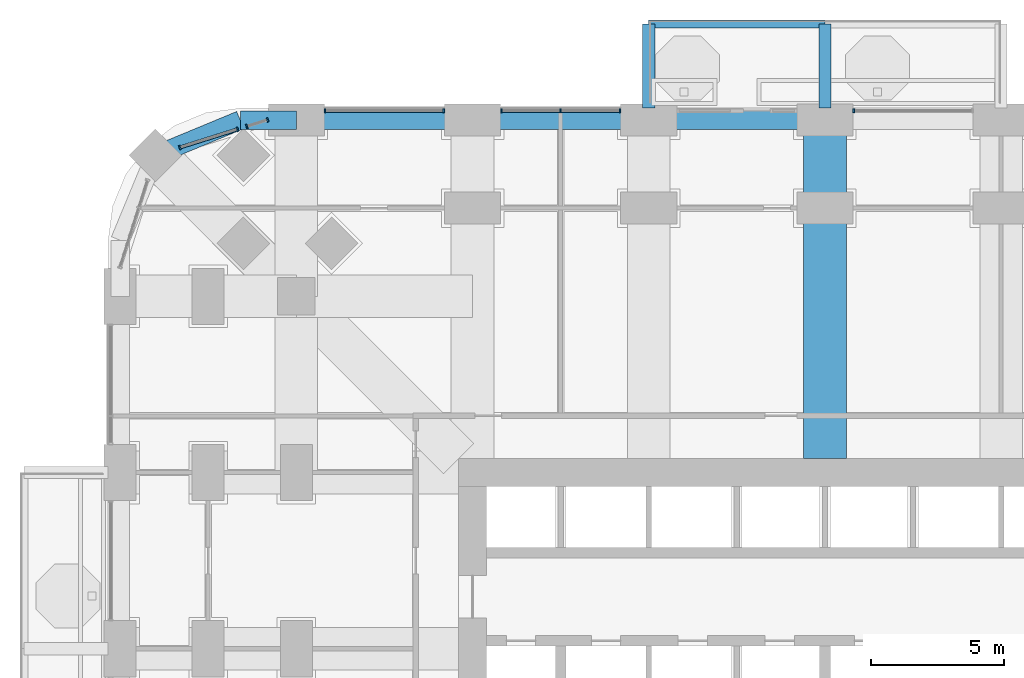
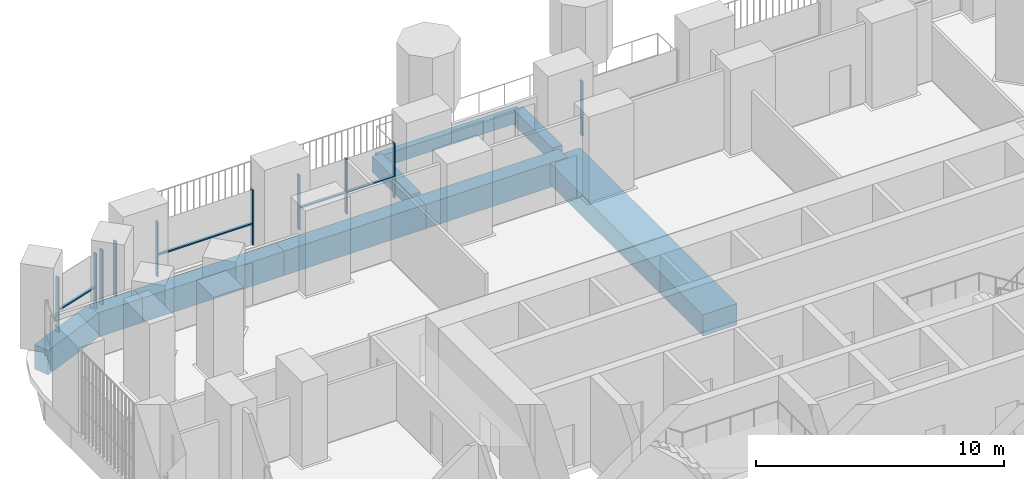
# One storey, part 7 of 26: 14 members, 9 beams, 5 elements without a shape of their own.
"""IFC4 building model written with IfcOpenShell, lengths in metres."""

from ifc_helpers import new_model, si_unit, direction, frame, origin, origin_2d, place, context, subcontext, project, spatial, rectangle, extrude, material, material_profile, profile_set, type_object, element, aggregate, save


model = new_model("IFC4")

# Units and contexts
model_context = context("Model", 3, precision=1e-05, world=origin(), true_north=direction((0.0, 1.0)))
body_context = subcontext(model_context, "Body", "Model", "MODEL_VIEW")
ifc_project = project(units=[si_unit("LENGTHUNIT", "METRE"), si_unit("AREAUNIT", "SQUARE_METRE"), si_unit("VOLUMEUNIT", "CUBIC_METRE"), si_unit("PLANEANGLEUNIT", "RADIAN"), si_unit("MASSUNIT", "GRAM", prefix="KILO")], contexts=[model_context])

# Site, building, storey
site_placement = place(None, origin())
site = spatial("IfcSite", under=ifc_project, at=site_placement, CompositionType="ELEMENT")
building_placement = place(site_placement, origin())
building = spatial("IfcBuilding", under=site, at=building_placement, Name="Cobogo Forest Laboratory Tower", CompositionType="ELEMENT")
storey_placement = place(building_placement, frame((0.0, 0.0, 59.10009765625)))
storey = spatial("IfcBuildingStorey", under=building, at=storey_placement, Name="L13", CompositionType="ELEMENT", Elevation=59.10009765625)

# Beams
ifc_material_1 = material(Name="Concrete HA-40 (C40/50)", Category="concrete")
ifc_material_profile_1 = material_profile(ifc_material_1, rectangle(XDim=0.449951171875, YDim=0.75, at=origin_2d()), Name="RC 450x750")
ifc_profile_set_1 = profile_set([ifc_material_profile_1], Name="Concrete HA-40 (C40/50)")
beam_type_1 = type_object("IfcBeamType", Name="Balcony cantilever beam 450x750", PredefinedType="BEAM", material=ifc_profile_set_1)
for number, where, z_axis, x_axis, name in (
    (1, (19.800048828125, 46.64990234375, -0.625), (0.0, 1.0, 0.0), (-1.0, 0.0, 0.0), "CB1 BAL-N1-C1 L13"),
    (2, (26.39990234375, 46.64990234375, -0.625), (0.0, 1.0, 0.0), (-1.0, 0.0, 0.0), "CB1 BAL-N1-C2 L13"),
):
    element("IfcBeam", number, at=place(storey_placement, frame(where, z_axis=z_axis, x_axis=x_axis)), inside=storey, type_object=beam_type_1, Name=name, PredefinedType="BEAM", context=body_context, shape_type="SweptSolid", body=[
        extrude(rectangle(XDim=0.449951171875, YDim=0.75, at=origin_2d()), origin(), (0.0, 0.0, 1.0), 3.150146484375),
    ])
ifc_material_profile_2 = material_profile(ifc_material_1, rectangle(XDim=0.300048828125, YDim=0.60009765625, at=origin_2d()), Name="RC 300x600")
ifc_profile_set_2 = profile_set([ifc_material_profile_2], Name="Concrete HA-40 (C40/50)")
beam_type_2 = type_object("IfcBeamType", Name="Balcony edge beam 300x600", PredefinedType="BEAM", material=ifc_profile_set_2)
beam_1_placement = place(storey_placement, frame((19.800048828125, 49.800048828125, -0.550048828125), z_axis=(1.0, 0.0, 0.0), x_axis=(0.0, 1.0, 0.0)))
element("IfcBeam", 3, at=beam_1_placement, inside=storey, type_object=beam_type_2, Name="BB1 BAL-N1-T1 L13", PredefinedType="BEAM", context=body_context, shape_type="SweptSolid", body=[
    extrude(rectangle(XDim=0.300048828125, YDim=0.60009765625, at=origin_2d()), origin(), (0.0, 0.0, 1.0), 6.599853515625),
])
ifc_material_2 = material(Name="Concrete HA-50 (C50/60)", Category="concrete")
ifc_material_profile_3 = material_profile(ifc_material_2, rectangle(XDim=1.60009765625, YDim=1.050048828125, at=origin_2d()), Name="RC 1600x1050")
ifc_profile_set_3 = profile_set([ifc_material_profile_3], Name="Concrete HA-50 (C50/60)")
beam_type_3 = type_object("IfcBeamType", Name="Laboratory floor wide beam 1600x1050", PredefinedType="BEAM", material=ifc_profile_set_3)
beam_2_placement = place(storey_placement, frame((26.39990234375, 33.52490234375, -0.8251953125), z_axis=(0.0, 1.0, 0.0), x_axis=(-1.0, 0.0, 0.0)))
element("IfcBeam", 4, at=beam_2_placement, inside=storey, type_object=beam_type_3, Name="RB8 R-5-N L13", PredefinedType="BEAM", context=body_context, shape_type="SweptSolid", body=[
    extrude(rectangle(XDim=1.60009765625, YDim=1.050048828125, at=origin_2d()), origin(), (0.0, 0.0, 1.0), 12.675048828125),
])

# Curtain wall, member
ifc_material_3 = material(Name="Aluminium curtain wall", Category="aluminium")
curtain_wall_type = type_object("IfcCurtainWallType", Name="CW-1 unitised curtain wall, clear glazing, laboratory floors zones A and B", PredefinedType="USERDEFINED", material=ifc_material_3)
curtain_wall_1_placement = place(storey_placement, origin())
curtain_wall_1 = element("IfcCurtainWall", 5, at=curtain_wall_1_placement, inside=storey, type_object=curtain_wall_type, Name="Curtain wall 20 L13", ObjectType="UNITISED CURTAIN WALL", PredefinedType="USERDEFINED")
ifc_material_4 = material(Name="Aluminium mullion", Category="aluminium")
ifc_material_profile_4 = material_profile(ifc_material_4, rectangle(XDim=0.06005859375, YDim=0.159912109375, at=origin_2d()), Name="AL 60x160")
ifc_profile_set_4 = profile_set([ifc_material_profile_4], Name="Aluminium mullion")
member_type_1 = type_object("IfcMemberType", Name="MU-1 aluminium mullion 60x160", PredefinedType="MULLION", material=ifc_profile_set_4)
member_1_placement = place(storey_placement, frame((27.47998046875, 46.550048828125, 0.0), z_axis=(0.0, 0.0, 1.0), x_axis=(-1.0, 0.0, 0.0)))
member_1 = element("IfcMember", 6, at=member_1_placement, type_object=member_type_1, Name="CW-1 mullion 2", PredefinedType="MULLION", context=body_context, shape_type="SweptSolid", body=[
    extrude(rectangle(XDim=0.06005859375, YDim=0.159912109375, at=origin_2d()), origin(), (0.0, 0.0, 1.0), 2.699951171875),
])
aggregate(curtain_wall_1, [member_1])

# Curtain wall, members
curtain_wall_2_placement = place(storey_placement, origin())
curtain_wall_2 = element("IfcCurtainWall", 7, at=curtain_wall_2_placement, inside=storey, type_object=curtain_wall_type, Name="Curtain wall 22 L13", ObjectType="UNITISED CURTAIN WALL", PredefinedType="USERDEFINED")
member_2_placement = place(storey_placement, frame((18.719970703125, 46.550048828125, 0.0), z_axis=(0.0, 0.0, 1.0), x_axis=(-1.0, 0.0, 0.0)))
member_2 = element("IfcMember", 8, at=member_2_placement, type_object=member_type_1, Name="CW-1 mullion 1", PredefinedType="MULLION", context=body_context, shape_type="SweptSolid", body=[
    extrude(rectangle(XDim=0.06005859375, YDim=0.159912109375, at=origin_2d()), origin(), (0.0, 0.0, 1.0), 2.699951171875),
])
member_3_placement = place(storey_placement, frame((16.5, 46.550048828125, 0.0), z_axis=(0.0, 0.0, 1.0), x_axis=(-1.0, 0.0, 0.0)))
member_3 = element("IfcMember", 9, at=member_3_placement, type_object=member_type_1, Name="CW-1 mullion 2", PredefinedType="MULLION", context=body_context, shape_type="SweptSolid", body=[
    extrude(rectangle(XDim=0.06005859375, YDim=0.159912109375, at=origin_2d()), origin(), (0.0, 0.0, 1.0), 2.699951171875),
])
member_4_placement = place(storey_placement, frame((14.280029296875, 46.550048828125, 0.0), z_axis=(0.0, 0.0, 1.0), x_axis=(-1.0, 0.0, 0.0)))
member_4 = element("IfcMember", 10, at=member_4_placement, type_object=member_type_1, Name="CW-1 mullion 3", PredefinedType="MULLION", context=body_context, shape_type="SweptSolid", body=[
    extrude(rectangle(XDim=0.06005859375, YDim=0.159912109375, at=origin_2d()), origin(), (0.0, 0.0, 1.0), 2.699951171875),
])

curtain_wall_3_placement = place(storey_placement, origin())
curtain_wall_3 = element("IfcCurtainWall", 11, at=curtain_wall_3_placement, inside=storey, type_object=curtain_wall_type, Name="Curtain wall 23 L13", ObjectType="UNITISED CURTAIN WALL", PredefinedType="USERDEFINED")
member_5_placement = place(storey_placement, frame((12.1201171875, 46.550048828125, 0.0), z_axis=(0.0, 0.0, 1.0), x_axis=(-1.0, 0.0, 0.0)))
member_5 = element("IfcMember", 12, at=member_5_placement, type_object=member_type_1, Name="CW-1 mullion 1", PredefinedType="MULLION", context=body_context, shape_type="SweptSolid", body=[
    extrude(rectangle(XDim=0.06005859375, YDim=0.159912109375, at=origin_2d()), origin(), (0.0, 0.0, 1.0), 2.699951171875),
])
member_6_placement = place(storey_placement, frame((7.679931640625, 46.550048828125, 0.0), z_axis=(0.0, 0.0, 1.0), x_axis=(-1.0, 0.0, 0.0)))
member_6 = element("IfcMember", 13, at=member_6_placement, type_object=member_type_1, Name="CW-1 mullion 2", PredefinedType="MULLION", context=body_context, shape_type="SweptSolid", body=[
    extrude(rectangle(XDim=0.06005859375, YDim=0.159912109375, at=origin_2d()), origin(), (0.0, 0.0, 1.0), 2.699951171875),
])

curtain_wall_4_placement = place(storey_placement, origin())
curtain_wall_4 = element("IfcCurtainWall", 14, at=curtain_wall_4_placement, inside=storey, type_object=curtain_wall_type, Name="Curtain wall 24 L13", ObjectType="UNITISED CURTAIN WALL", PredefinedType="USERDEFINED")
member_7_placement = place(storey_placement, frame((5.521484375, 46.20947265625, 0.0), z_axis=(0.0, 0.0, 1.0), x_axis=(-0.953581504428, -0.301135043481, 0.0)))
member_7 = element("IfcMember", 15, at=member_7_placement, type_object=member_type_1, Name="CW-1 mullion 1", PredefinedType="MULLION", context=body_context, shape_type="SweptSolid", body=[
    extrude(rectangle(XDim=0.06005859375, YDim=0.159912109375, at=origin_2d()), origin(), (0.0, 0.0, 1.0), 2.699951171875),
])
member_8_placement = place(storey_placement, frame((4.74658203125, 45.96484375, 0.0), z_axis=(0.0, 0.0, 1.0), x_axis=(-0.953581504428, -0.301135043481, 0.0)))
member_8 = element("IfcMember", 16, at=member_8_placement, type_object=member_type_1, Name="CW-1 mullion 2", PredefinedType="MULLION", context=body_context, shape_type="SweptSolid", body=[
    extrude(rectangle(XDim=0.06005859375, YDim=0.159912109375, at=origin_2d()), origin(), (0.0, 0.0, 1.0), 2.699951171875),
])
aggregate(curtain_wall_4, [member_7, member_8])

curtain_wall_5_placement = place(storey_placement, origin())
curtain_wall_5 = element("IfcCurtainWall", 17, at=curtain_wall_5_placement, inside=storey, type_object=curtain_wall_type, Name="Curtain wall 25 L13", ObjectType="UNITISED CURTAIN WALL", PredefinedType="USERDEFINED")
member_9_placement = place(storey_placement, frame((4.39697265625, 45.854248046875, 0.0), z_axis=(0.0, 0.0, 1.0), x_axis=(-0.953581409645, -0.301135343623, 0.0)))
member_9 = element("IfcMember", 18, at=member_9_placement, type_object=member_type_1, Name="CW-1 mullion 1", PredefinedType="MULLION", context=body_context, shape_type="SweptSolid", body=[
    extrude(rectangle(XDim=0.06005859375, YDim=0.159912109375, at=origin_2d()), origin(), (0.0, 0.0, 1.0), 2.699951171875),
])
member_10_placement = place(storey_placement, frame((2.23876953125, 45.1728515625, 0.0), z_axis=(0.0, 0.0, 1.0), x_axis=(-0.953581409645, -0.301135343623, 0.0)))
member_10 = element("IfcMember", 19, at=member_10_placement, type_object=member_type_1, Name="CW-1 mullion 2", PredefinedType="MULLION", context=body_context, shape_type="SweptSolid", body=[
    extrude(rectangle(XDim=0.06005859375, YDim=0.159912109375, at=origin_2d()), origin(), (0.0, 0.0, 1.0), 2.699951171875),
])

# Beams
ifc_material_profile_5 = material_profile(ifc_material_1, rectangle(XDim=0.699951171875, YDim=1.199951171875, at=origin_2d()), Name="RC 700x1200")
ifc_profile_set_5 = profile_set([ifc_material_profile_5], Name="Concrete HA-40 (C40/50)")
beam_type_4 = type_object("IfcBeamType", Name="Perimeter edge beam 700x1200", PredefinedType="BEAM", material=ifc_profile_set_5)
beam_3_placement = place(storey_placement, frame((6.60009765625, 46.199951171875, -0.900146484375), z_axis=(1.0, 0.0, 0.0), x_axis=(0.0, 1.0, 0.0)))
element("IfcBeam", 20, at=beam_3_placement, inside=storey, type_object=beam_type_4, Name="EB1 E-N1 L13", PredefinedType="BEAM", context=body_context, shape_type="SweptSolid", body=[
    extrude(rectangle(XDim=0.699951171875, YDim=1.199951171875, at=origin_2d()), origin(), (0.0, 0.0, 1.0), 6.599853515625),
])
beam_4_placement = place(storey_placement, frame((13.199951171875, 46.199951171875, -0.900146484375), z_axis=(1.0, 0.0, 0.0), x_axis=(0.0, 1.0, 0.0)))
element("IfcBeam", 21, at=beam_4_placement, inside=storey, type_object=beam_type_4, Name="EB1 E-N2 L13", PredefinedType="BEAM", context=body_context, shape_type="SweptSolid", body=[
    extrude(rectangle(XDim=0.699951171875, YDim=1.199951171875, at=origin_2d()), origin(), (0.0, 0.0, 1.0), 6.60009765625),
])
beam_5_placement = place(storey_placement, frame((19.800048828125, 46.199951171875, -0.900146484375), z_axis=(1.0, 0.0, 0.0), x_axis=(0.0, 1.0, 0.0)))
element("IfcBeam", 22, at=beam_5_placement, inside=storey, type_object=beam_type_4, Name="EB1 E-N3 L13", PredefinedType="BEAM", context=body_context, shape_type="SweptSolid", body=[
    extrude(rectangle(XDim=0.699951171875, YDim=1.199951171875, at=origin_2d()), origin(), (0.0, 0.0, 1.0), 6.599853515625),
])
beam_6_placement = place(storey_placement, frame((6.60009765625, 46.199951171875, -0.900146484375), z_axis=(-1.0, 0.0, 0.0), x_axis=(0.0, -1.0, 0.0)))
element("IfcBeam", 23, at=beam_6_placement, inside=storey, type_object=beam_type_4, Name="EB1 E-NWN1 L13", PredefinedType="BEAM", context=body_context, shape_type="SweptSolid", body=[
    extrude(rectangle(XDim=0.699951171875, YDim=1.199951171875, at=origin_2d()), origin(), (0.0, 0.0, 1.0), 2.10009765625),
])
beam_7_placement = place(storey_placement, frame((4.5, 46.199951171875, -0.900146484375), z_axis=(-0.923890694089, -0.382656484822, 0.0), x_axis=(0.382656484822, -0.923890694089, 0.0)))
element("IfcBeam", 24, at=beam_7_placement, inside=storey, type_object=beam_type_4, Name="EB1 E-NWN2 L13", PredefinedType="BEAM", context=body_context, shape_type="SweptSolid", body=[
    extrude(rectangle(XDim=0.699951171875, YDim=1.199951171875, at=origin_2d()), origin(), (0.0, 0.0, 1.0), 3.444091796875),
])

# Member
ifc_material_5 = material(Name="Aluminium transom", Category="aluminium")
ifc_material_profile_6 = material_profile(ifc_material_5, rectangle(XDim=0.1201171875, YDim=0.06005859375, at=origin_2d()), Name="AL 60x120")
ifc_profile_set_6 = profile_set([ifc_material_profile_6], Name="Aluminium transom")
member_type_2 = type_object("IfcMemberType", Name="TR-1 aluminium transom 60x120", PredefinedType="USERDEFINED", material=ifc_profile_set_6)
member_11_placement = place(storey_placement, frame((18.68994140625, 46.550048828125, 1.0498046875), z_axis=(-1.0, 0.0, 0.0), x_axis=(0.0, -1.0, 0.0)))
member_11 = element("IfcMember", 25, at=member_11_placement, type_object=member_type_2, Name="CW-1 transom 1.1", ObjectType="TRANSOM", PredefinedType="USERDEFINED", context=body_context, shape_type="SweptSolid", body=[
    extrude(rectangle(XDim=0.1201171875, YDim=0.06005859375, at=origin_2d()), origin(), (0.0, 0.0, 1.0), 2.159912109375),
])

member_12_placement = place(storey_placement, frame((16.469970703125, 46.550048828125, 1.0498046875), z_axis=(-1.0, 0.0, 0.0), x_axis=(0.0, -1.0, 0.0)))
member_12 = element("IfcMember", 26, at=member_12_placement, type_object=member_type_2, Name="CW-1 transom 2.1", ObjectType="TRANSOM", PredefinedType="USERDEFINED", context=body_context, shape_type="SweptSolid", body=[
    extrude(rectangle(XDim=0.1201171875, YDim=0.06005859375, at=origin_2d()), origin(), (0.0, 0.0, 1.0), 2.159912109375),
])

aggregate(curtain_wall_2, [member_2, member_3, member_4, member_11, member_12])

member_13_placement = place(storey_placement, frame((12.090087890625, 46.550048828125, 1.0498046875), z_axis=(-1.0, 0.0, 0.0), x_axis=(0.0, -1.0, 0.0)))
member_13 = element("IfcMember", 27, at=member_13_placement, type_object=member_type_2, Name="CW-1 transom 1.1", ObjectType="TRANSOM", PredefinedType="USERDEFINED", context=body_context, shape_type="SweptSolid", body=[
    extrude(rectangle(XDim=0.1201171875, YDim=0.06005859375, at=origin_2d()), origin(), (0.0, 0.0, 1.0), 4.380126953125),
])

aggregate(curtain_wall_3, [member_5, member_6, member_13])

member_14_placement = place(storey_placement, frame((4.368408203125, 45.84521484375, 1.0498046875), z_axis=(-0.953604433273, -0.301062426819, 0.0), x_axis=(0.301062426819, -0.953604433273, 0.0)))
member_14 = element("IfcMember", 28, at=member_14_placement, type_object=member_type_2, Name="CW-1 transom 1.1", ObjectType="TRANSOM", PredefinedType="USERDEFINED", context=body_context, shape_type="SweptSolid", body=[
    extrude(rectangle(XDim=0.1201171875, YDim=0.06005859375, at=origin_2d()), origin(), (0.0, 0.0, 1.0), 2.203369140625),
])

aggregate(curtain_wall_5, [member_9, member_10, member_14])

save(model, "model.ifc")
